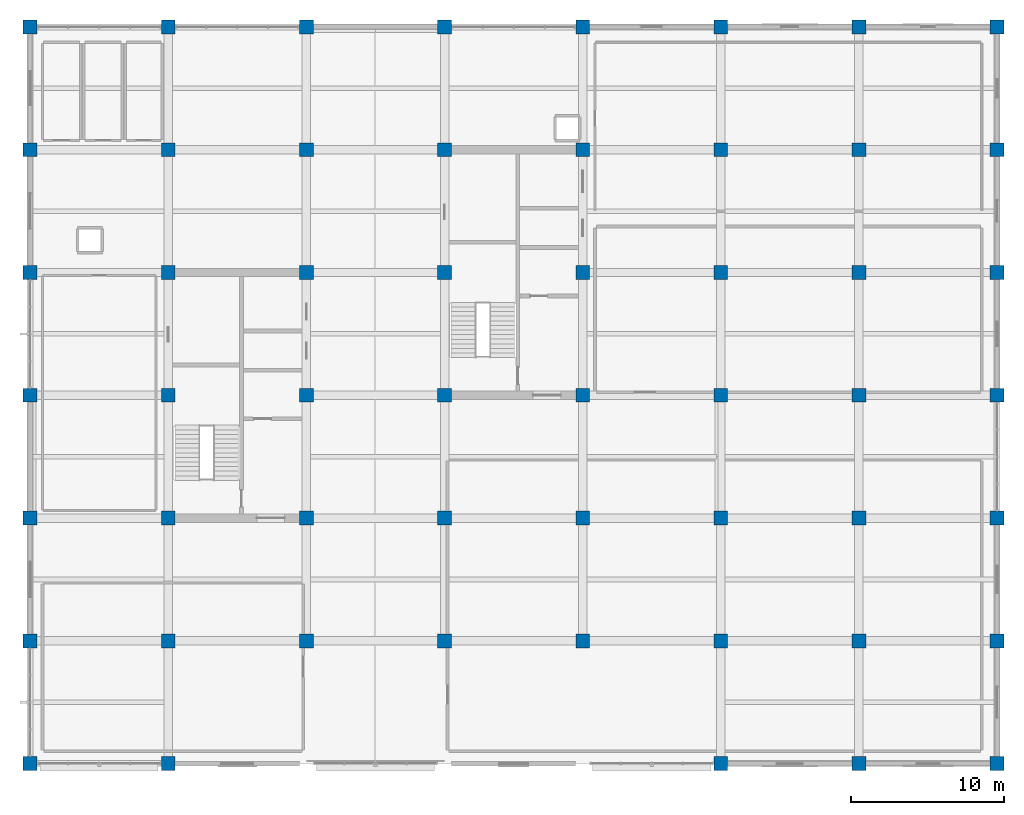
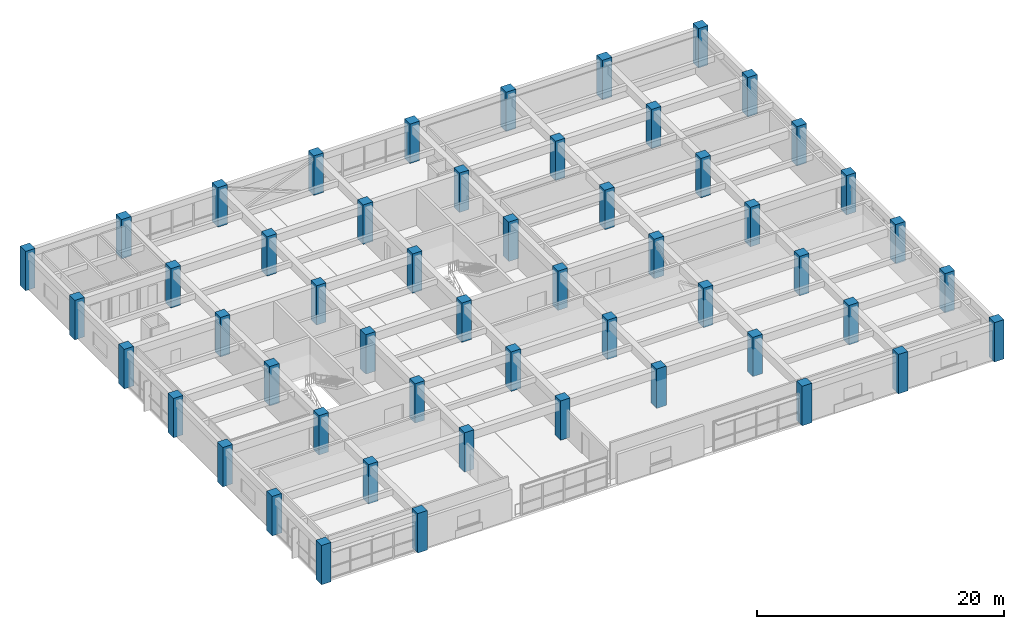
# One storey, part 1 of 16: 53 columns.
"""IFC4 building model written with IfcOpenShell, lengths in metres."""

from ifc_helpers import new_model, si_unit, direction, frame, origin, origin_2d, place, context, subcontext, project, spatial, rectangle, extrude, material, material_profile, profile_set, type_object, element, save


model = new_model("IFC4")

# Units and contexts
model_context = context("Model", 3, precision=1e-05, world=origin(), true_north=direction((0.0, 1.0)))
body_context = subcontext(model_context, "Body", "Model", "MODEL_VIEW")
ifc_project = project(units=[si_unit("LENGTHUNIT", "METRE"), si_unit("AREAUNIT", "SQUARE_METRE"), si_unit("VOLUMEUNIT", "CUBIC_METRE"), si_unit("PLANEANGLEUNIT", "RADIAN"), si_unit("MASSUNIT", "GRAM", prefix="KILO")], contexts=[model_context])

# Site, building, storey
site_placement = place(None, origin())
site = spatial("IfcSite", under=ifc_project, at=site_placement, CompositionType="ELEMENT")
building_placement = place(site_placement, origin())
building = spatial("IfcBuilding", under=site, at=building_placement, Name="Zaverband Oceanarium and Marine Research Institute", CompositionType="ELEMENT")
storey_placement = place(building_placement, frame((0.0, 0.0, 29.699951171875)))
storey = spatial("IfcBuildingStorey", under=building, at=storey_placement, Name="L07", CompositionType="ELEMENT", Elevation=29.699951171875)

# Columns
ifc_material = material(Name="Concrete C50/60", Category="concrete")
ifc_material_profile = material_profile(ifc_material, rectangle(XDim=0.89990234375, YDim=0.89990234375, at=origin_2d()), Name="RC900x900")
ifc_profile_set = profile_set([ifc_material_profile], Name="Concrete C50/60")
column_type = type_object("IfcColumnType", Name="COL-C900", PredefinedType="COLUMN", material=ifc_profile_set)
for number, where, z_axis, x_axis, name in (
    (1, (9.0, 64.0, 0.0), (0.0, 0.0, 1.0), (1.0, 0.0, 0.0), "Reinforced concrete column RC900x900 COL-C900"),
    (2, (9.0, 72.0, 0.0), (0.0, 0.0, 1.0), (1.0, 0.0, 0.0), "Reinforced concrete column RC900x900 COL-C900"),
    (3, (9.0, 80.0, 0.0), (0.0, 0.0, 1.0), (1.0, 0.0, 0.0), "Reinforced concrete column RC900x900 COL-C900"),
    (4, (9.0, 88.0, 0.0), (0.0, 0.0, 1.0), (1.0, 0.0, 0.0), "Reinforced concrete column RC900x900 COL-C900"),
    (5, (9.0, 96.0, 0.0), (0.0, 0.0, 1.0), (1.0, 0.0, 0.0), "Reinforced concrete column RC900x900 COL-C900"),
    (6, (9.0, 104.0, 0.0), (0.0, 0.0, 1.0), (1.0, 0.0, 0.0), "Reinforced concrete column RC900x900 COL-C900"),
    (7, (9.0, 112.0, 0.0), (0.0, 0.0, 1.0), (1.0, 0.0, 0.0), "Reinforced concrete column RC900x900 COL-C900"),
    (8, (18.0, 64.0, 0.0), (0.0, 0.0, 1.0), (1.0, 0.0, 0.0), "Reinforced concrete column RC900x900 COL-C900"),
    (9, (18.0, 72.0, 0.0), (0.0, 0.0, 1.0), (1.0, 0.0, 0.0), "Reinforced concrete column RC900x900 COL-C900"),
    (10, (18.0, 80.0, 0.0), (0.0, 0.0, 1.0), (1.0, 0.0, 0.0), "Reinforced concrete column RC900x900 COL-C900"),
    (11, (18.0, 88.0, 0.0), (0.0, 0.0, 1.0), (1.0, 0.0, 0.0), "Reinforced concrete column RC900x900 COL-C900"),
    (12, (18.0, 96.0, 0.0), (0.0, 0.0, 1.0), (1.0, 0.0, 0.0), "Reinforced concrete column RC900x900 COL-C900"),
    (13, (18.0, 104.0, 0.0), (0.0, 0.0, 1.0), (1.0, 0.0, 0.0), "Reinforced concrete column RC900x900 COL-C900"),
    (14, (18.0, 112.0, 0.0), (0.0, 0.0, 1.0), (1.0, 0.0, 0.0), "Reinforced concrete column RC900x900 COL-C900"),
    (15, (27.0, 72.0, 0.0), (0.0, 0.0, 1.0), (1.0, 0.0, 0.0), "Reinforced concrete column RC900x900 COL-C900"),
    (16, (27.0, 80.0, 0.0), (0.0, 0.0, 1.0), (1.0, 0.0, 0.0), "Reinforced concrete column RC900x900 COL-C900"),
    (17, (27.0, 88.0, 0.0), (0.0, 0.0, 1.0), (1.0, 0.0, 0.0), "Reinforced concrete column RC900x900 COL-C900"),
    (18, (27.0, 96.0, 0.0), (0.0, 0.0, 1.0), (1.0, 0.0, 0.0), "Reinforced concrete column RC900x900 COL-C900"),
    (19, (27.0, 104.0, 0.0), (0.0, 0.0, 1.0), (1.0, 0.0, 0.0), "Reinforced concrete column RC900x900 COL-C900"),
    (20, (27.0, 112.0, 0.0), (0.0, 0.0, 1.0), (1.0, 0.0, 0.0), "Reinforced concrete column RC900x900 COL-C900"),
    (21, (36.0, 72.0, 0.0), (0.0, 0.0, 1.0), (1.0, 0.0, 0.0), "Reinforced concrete column RC900x900 COL-C900"),
    (22, (36.0, 80.0, 0.0), (0.0, 0.0, 1.0), (1.0, 0.0, 0.0), "Reinforced concrete column RC900x900 COL-C900"),
    (23, (36.0, 88.0, 0.0), (0.0, 0.0, 1.0), (1.0, 0.0, 0.0), "Reinforced concrete column RC900x900 COL-C900"),
    (24, (36.0, 96.0, 0.0), (0.0, 0.0, 1.0), (1.0, 0.0, 0.0), "Reinforced concrete column RC900x900 COL-C900"),
    (25, (36.0, 104.0, 0.0), (0.0, 0.0, 1.0), (1.0, 0.0, 0.0), "Reinforced concrete column RC900x900 COL-C900"),
    (26, (36.0, 112.0, 0.0), (0.0, 0.0, 1.0), (1.0, 0.0, 0.0), "Reinforced concrete column RC900x900 COL-C900"),
    (27, (45.0, 72.0, 0.0), (0.0, 0.0, 1.0), (1.0, 0.0, 0.0), "Reinforced concrete column RC900x900 COL-C900"),
    (28, (45.0, 80.0, 0.0), (0.0, 0.0, 1.0), (1.0, 0.0, 0.0), "Reinforced concrete column RC900x900 COL-C900"),
    (29, (45.0, 88.0, 0.0), (0.0, 0.0, 1.0), (1.0, 0.0, 0.0), "Reinforced concrete column RC900x900 COL-C900"),
    (30, (45.0, 96.0, 0.0), (0.0, 0.0, 1.0), (1.0, 0.0, 0.0), "Reinforced concrete column RC900x900 COL-C900"),
    (31, (45.0, 104.0, 0.0), (0.0, 0.0, 1.0), (1.0, 0.0, 0.0), "Reinforced concrete column RC900x900 COL-C900"),
    (32, (45.0, 112.0, 0.0), (0.0, 0.0, 1.0), (1.0, 0.0, 0.0), "Reinforced concrete column RC900x900 COL-C900"),
    (33, (54.0, 64.0, 0.0), (0.0, 0.0, 1.0), (1.0, 0.0, 0.0), "Reinforced concrete column RC900x900 COL-C900"),
    (34, (54.0, 72.0, 0.0), (0.0, 0.0, 1.0), (1.0, 0.0, 0.0), "Reinforced concrete column RC900x900 COL-C900"),
    (35, (54.0, 80.0, 0.0), (0.0, 0.0, 1.0), (1.0, 0.0, 0.0), "Reinforced concrete column RC900x900 COL-C900"),
    (36, (54.0, 88.0, 0.0), (0.0, 0.0, 1.0), (1.0, 0.0, 0.0), "Reinforced concrete column RC900x900 COL-C900"),
    (37, (54.0, 96.0, 0.0), (0.0, 0.0, 1.0), (1.0, 0.0, 0.0), "Reinforced concrete column RC900x900 COL-C900"),
    (38, (54.0, 104.0, 0.0), (0.0, 0.0, 1.0), (1.0, 0.0, 0.0), "Reinforced concrete column RC900x900 COL-C900"),
    (39, (54.0, 112.0, 0.0), (0.0, 0.0, 1.0), (1.0, 0.0, 0.0), "Reinforced concrete column RC900x900 COL-C900"),
    (40, (63.0, 64.0, 0.0), (0.0, 0.0, 1.0), (1.0, 0.0, 0.0), "Reinforced concrete column RC900x900 COL-C900"),
    (41, (63.0, 72.0, 0.0), (0.0, 0.0, 1.0), (1.0, 0.0, 0.0), "Reinforced concrete column RC900x900 COL-C900"),
    (42, (63.0, 80.0, 0.0), (0.0, 0.0, 1.0), (1.0, 0.0, 0.0), "Reinforced concrete column RC900x900 COL-C900"),
    (43, (63.0, 88.0, 0.0), (0.0, 0.0, 1.0), (1.0, 0.0, 0.0), "Reinforced concrete column RC900x900 COL-C900"),
    (44, (63.0, 96.0, 0.0), (0.0, 0.0, 1.0), (1.0, 0.0, 0.0), "Reinforced concrete column RC900x900 COL-C900"),
    (45, (63.0, 104.0, 0.0), (0.0, 0.0, 1.0), (1.0, 0.0, 0.0), "Reinforced concrete column RC900x900 COL-C900"),
    (46, (63.0, 112.0, 0.0), (0.0, 0.0, 1.0), (1.0, 0.0, 0.0), "Reinforced concrete column RC900x900 COL-C900"),
    (47, (72.0, 64.0, 0.0), (0.0, 0.0, 1.0), (1.0, 0.0, 0.0), "Reinforced concrete column RC900x900 COL-C900"),
    (48, (72.0, 72.0, 0.0), (0.0, 0.0, 1.0), (1.0, 0.0, 0.0), "Reinforced concrete column RC900x900 COL-C900"),
    (49, (72.0, 80.0, 0.0), (0.0, 0.0, 1.0), (1.0, 0.0, 0.0), "Reinforced concrete column RC900x900 COL-C900"),
    (50, (72.0, 88.0, 0.0), (0.0, 0.0, 1.0), (1.0, 0.0, 0.0), "Reinforced concrete column RC900x900 COL-C900"),
    (51, (72.0, 96.0, 0.0), (0.0, 0.0, 1.0), (1.0, 0.0, 0.0), "Reinforced concrete column RC900x900 COL-C900"),
    (52, (72.0, 104.0, 0.0), (0.0, 0.0, 1.0), (1.0, 0.0, 0.0), "Reinforced concrete column RC900x900 COL-C900"),
    (53, (72.0, 112.0, 0.0), (0.0, 0.0, 1.0), (1.0, 0.0, 0.0), "Reinforced concrete column RC900x900 COL-C900"),
):
    element("IfcColumn", number, at=place(storey_placement, frame(where, z_axis=z_axis, x_axis=x_axis)), inside=storey, type_object=column_type, Name=name, PredefinedType="COLUMN", context=body_context, shape_type="SweptSolid", body=[
        extrude(rectangle(XDim=0.89990234375, YDim=0.89990234375, at=origin_2d()), origin(), (0.0, 0.0, 1.0), 3.900146484375),
    ])

save(model, "model.ifc")
